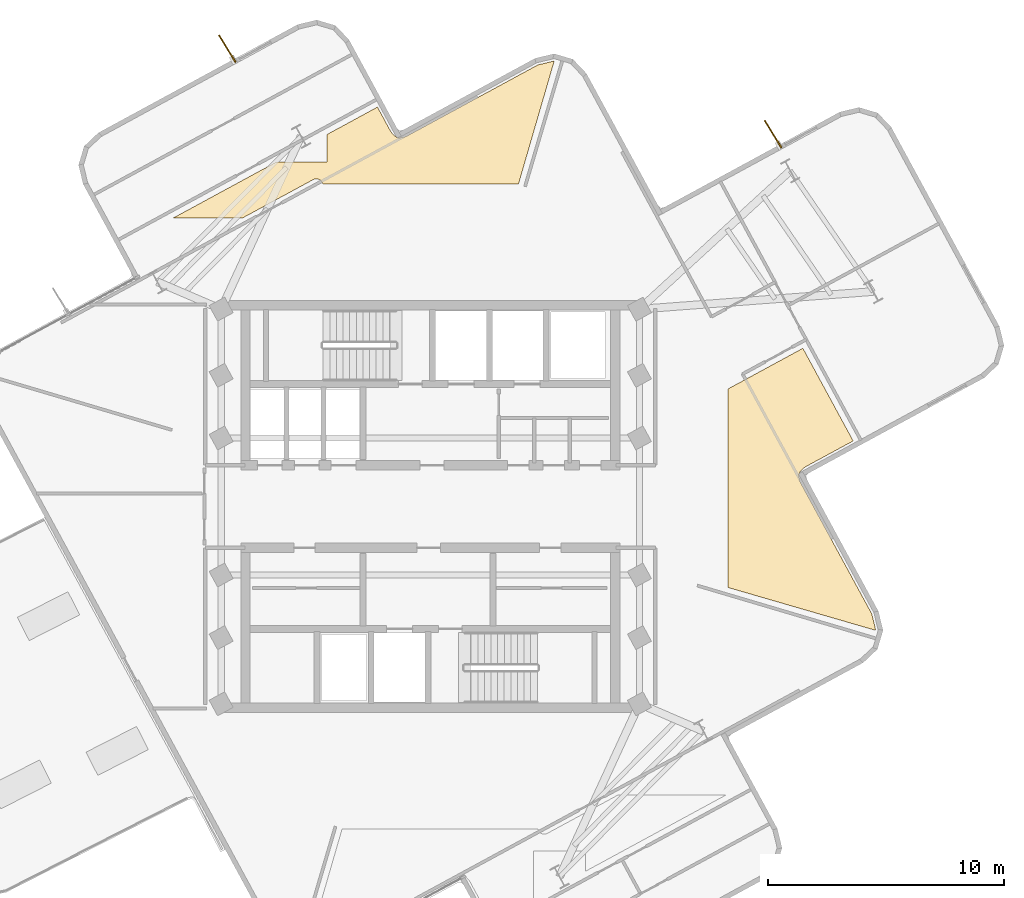
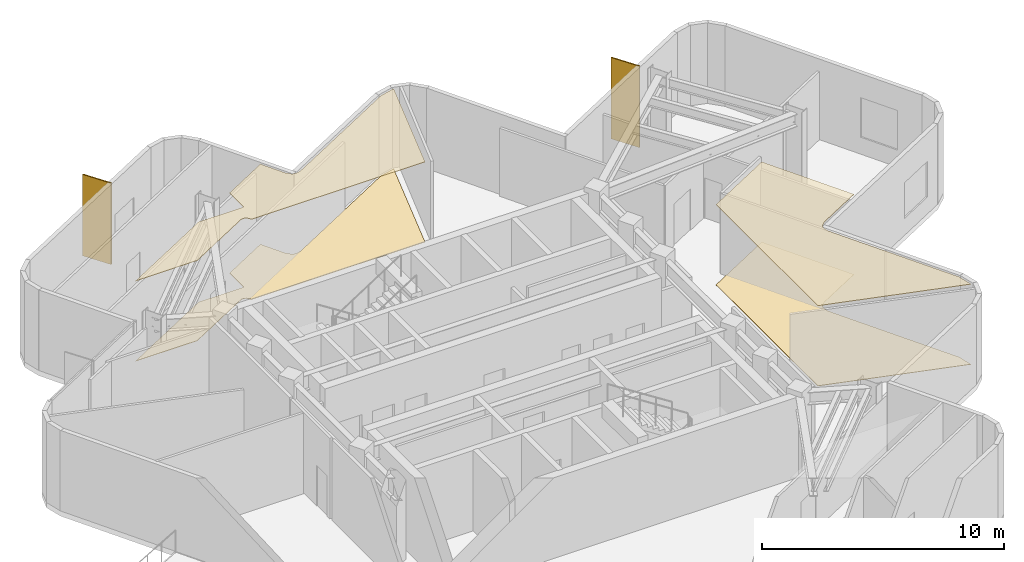
# One storey, part 9 of 10: 4 coverings, 2 shading devices.
"""IFC4 building model written with IfcOpenShell, lengths in metres."""

from ifc_helpers import new_model, si_unit, direction, frame, origin, origin_2d, place, context, subcontext, project, spatial, polyline, rectangle, outline, extrude, material, layer, layer_set, type_object, element, save


model = new_model("IFC4")

# Units and contexts
model_context = context("Model", 3, precision=1e-05, world=origin(), true_north=direction((0.0, 1.0)))
body_context = subcontext(model_context, "Body", "Model", "MODEL_VIEW")
ifc_project = project(units=[si_unit("LENGTHUNIT", "METRE"), si_unit("AREAUNIT", "SQUARE_METRE"), si_unit("VOLUMEUNIT", "CUBIC_METRE"), si_unit("PLANEANGLEUNIT", "RADIAN"), si_unit("MASSUNIT", "GRAM", prefix="KILO")], contexts=[model_context])

# Site, building, storey
site_placement = place(None, origin())
site = spatial("IfcSite", under=ifc_project, at=site_placement, CompositionType="ELEMENT")
building_placement = place(site_placement, origin())
building = spatial("IfcBuilding", under=site, at=building_placement, Name="Solmarez Civic Tower", CompositionType="ELEMENT")
storey_placement = place(building_placement, frame((0.0, 0.0, 200.8798828125)))
storey = spatial("IfcBuildingStorey", under=building, at=storey_placement, Name="L53", CompositionType="ELEMENT", Elevation=200.8798828125)

# Coverings
ifc_material_1 = material(Name="Perforated Mineral-Fibre Acoustic Ceiling")
ifc_layer_1 = layer(ifc_material_1, 0.02490234375)
ifc_layer_set_1 = layer_set([ifc_layer_1], Name="Perforated Mineral-Fibre Acoustic Ceiling")
covering_type_1 = type_object("IfcCoveringType", Name="COV-CEIL-ACOUSTIC", PredefinedType="CEILING", material=ifc_layer_set_1)
covering_1_placement = place(storey_placement, frame((0.0, 0.0, 4.03515625)))
element("IfcCovering", 1, at=covering_1_placement, inside=storey, type_object=covering_type_1, Name="L53 Suspended Acoustic Ceiling 2", PredefinedType="CEILING", context=body_context, shape_type="SweptSolid", body=[
    extrude(outline(polyline([(-10.89404296875, 12.199951171875), (-7.9619140625, 12.199951171875), (-4.950927734375, 13.833984375), (-4.93505859375, 13.842041015625), (-4.926025390625, 13.845947265625), (-4.904052734375, 13.85498046875), (-4.8798828125, 13.861083984375), (-4.875, 13.862060546875), (-4.85400390625, 13.864990234375), (-4.843994140625, 13.865966796875), (-4.821044921875, 13.866943359375), (-4.798095703125, 13.865966796875), (-4.7890625, 13.864990234375), (-4.77001953125, 13.862060546875), (-4.764892578125, 13.861083984375), (-4.740966796875, 13.85498046875), (-4.718994140625, 13.845947265625), (-4.7099609375, 13.842041015625), (-4.681884765625, 13.827880859375), (-4.674072265625, 13.822998046875), (-4.654052734375, 13.80810546875), (-4.635009765625, 13.7919921875), (-4.6279296875, 13.784912109375), (-4.60791015625, 13.760986328125), (-4.60205078125, 13.7529296875), (-4.5849609375, 13.72607421875), (-4.54296875, 13.64990234375), (3.73291015625, 13.64990234375), (5.241943359375, 18.846923828125), (5.235107421875, 18.84912109375), (4.547119140625, 18.68408203125), (-0.989990234375, 15.677978515625), (-0.9970703125, 15.674072265625), (-1.0029296875, 15.6708984375), (-1.013916015625, 15.666015625), (-1.02099609375, 15.6630859375), (-1.0380859375, 15.656005859375), (-1.0439453125, 15.654052734375), (-1.06298828125, 15.64892578125), (-1.23095703125, 15.60888671875), (-1.2509765625, 15.60498046875), (-1.261962890625, 15.60400390625), (-1.27001953125, 15.60302734375), (-1.297119140625, 15.60107421875), (-1.303955078125, 15.60107421875), (-1.3310546875, 15.60302734375), (-1.343017578125, 15.60400390625), (-1.35009765625, 15.60498046875), (-1.3720703125, 15.610107421875), (-1.3798828125, 15.612060546875), (-1.39697265625, 15.616943359375), (-1.4140625, 15.623046875), (-1.4208984375, 15.6259765625), (-1.443115234375, 15.636962890625), (-1.449951171875, 15.64111328125), (-1.462890625, 15.64892578125), (-1.468994140625, 15.653076171875), (-1.488037109375, 15.6669921875), (-1.493896484375, 15.672119140625), (-1.509033203125, 15.68505859375), (-1.513916015625, 15.68994140625), (-1.51708984375, 15.694091796875), (-1.635986328125, 15.819091796875), (-1.64892578125, 15.833984375), (-1.653076171875, 15.839111328125), (-1.6640625, 15.85400390625), (-1.66796875, 15.860107421875), (-1.672119140625, 15.865966796875), (-1.681884765625, 15.883056640625), (-2.235107421875, 16.902099609375), (-4.367919921875, 15.743896484375), (-4.367919921875, 14.571044921875), (-6.527099609375, 14.571044921875), (-10.89404296875, 12.199951171875)])), origin(), (0.0, 0.0, 1.0), 0.02490234375),
])
covering_2_placement = place(storey_placement, frame((0.0, 0.0, 4.03515625)))
element("IfcCovering", 2, at=covering_2_placement, inside=storey, type_object=covering_type_1, Name="L53 Suspended Acoustic Ceiling 3", PredefinedType="CEILING", context=body_context, shape_type="SweptSolid", body=[
    extrude(outline(polyline([(12.60009765625, 4.97509765625), (12.60009765625, -3.427978515625), (18.846923828125, -5.241943359375), (18.84912109375, -5.235107421875), (18.68408203125, -4.547119140625), (15.677978515625, 0.989990234375), (15.674072265625, 0.9970703125), (15.6708984375, 1.0029296875), (15.666015625, 1.013916015625), (15.6630859375, 1.02099609375), (15.656005859375, 1.0380859375), (15.654052734375, 1.0439453125), (15.64892578125, 1.06298828125), (15.60888671875, 1.23095703125), (15.60498046875, 1.2509765625), (15.60400390625, 1.261962890625), (15.60302734375, 1.27001953125), (15.60107421875, 1.297119140625), (15.60107421875, 1.303955078125), (15.60302734375, 1.3310546875), (15.60400390625, 1.343017578125), (15.60498046875, 1.35009765625), (15.610107421875, 1.3720703125), (15.612060546875, 1.3798828125), (15.616943359375, 1.39697265625), (15.623046875, 1.4140625), (15.6259765625, 1.4208984375), (15.636962890625, 1.443115234375), (15.64111328125, 1.449951171875), (15.64892578125, 1.462890625), (15.653076171875, 1.468994140625), (15.6669921875, 1.488037109375), (15.672119140625, 1.493896484375), (15.68505859375, 1.509033203125), (15.68994140625, 1.513916015625), (15.694091796875, 1.51708984375), (15.819091796875, 1.635986328125), (15.833984375, 1.64892578125), (15.839111328125, 1.653076171875), (15.85400390625, 1.6640625), (15.860107421875, 1.66796875), (15.865966796875, 1.672119140625), (15.883056640625, 1.681884765625), (17.89501953125, 2.77392578125), (15.76708984375, 6.695068359375), (12.60009765625, 4.97509765625)])), origin(), (0.0, 0.0, 1.0), 0.02490234375),
])
ifc_material_2 = material(Name="Polished Tropical Stone Terrazzo Flooring", Category="masonry")
ifc_layer_2 = layer(ifc_material_2, 0.02001953125)
ifc_layer_set_2 = layer_set([ifc_layer_2], Name="Polished Tropical Stone Terrazzo Flooring")
covering_type_2 = type_object("IfcCoveringType", Name="COV-FLOOR-TERRAZZO", PredefinedType="FLOORING", material=ifc_layer_set_2)
covering_3_placement = place(storey_placement, origin())
element("IfcCovering", 3, at=covering_3_placement, inside=storey, type_object=covering_type_2, Name="L53 Terrazzo Floor Finish 2", PredefinedType="FLOORING", context=body_context, shape_type="SweptSolid", body=[
    extrude(outline(polyline([(-10.89404296875, 12.199951171875), (-7.9619140625, 12.199951171875), (-4.950927734375, 13.833984375), (-4.93505859375, 13.842041015625), (-4.926025390625, 13.845947265625), (-4.904052734375, 13.85498046875), (-4.8798828125, 13.861083984375), (-4.875, 13.862060546875), (-4.85400390625, 13.864990234375), (-4.843994140625, 13.865966796875), (-4.821044921875, 13.866943359375), (-4.798095703125, 13.865966796875), (-4.7890625, 13.864990234375), (-4.77001953125, 13.862060546875), (-4.764892578125, 13.861083984375), (-4.740966796875, 13.85498046875), (-4.718994140625, 13.845947265625), (-4.7099609375, 13.842041015625), (-4.681884765625, 13.827880859375), (-4.674072265625, 13.822998046875), (-4.654052734375, 13.80810546875), (-4.635009765625, 13.7919921875), (-4.6279296875, 13.784912109375), (-4.60791015625, 13.760986328125), (-4.60205078125, 13.7529296875), (-4.5849609375, 13.72607421875), (-4.54296875, 13.64990234375), (3.73291015625, 13.64990234375), (5.241943359375, 18.846923828125), (5.235107421875, 18.84912109375), (4.547119140625, 18.68408203125), (-0.989990234375, 15.677978515625), (-0.9970703125, 15.674072265625), (-1.0029296875, 15.6708984375), (-1.013916015625, 15.666015625), (-1.02099609375, 15.6630859375), (-1.0380859375, 15.656005859375), (-1.0439453125, 15.654052734375), (-1.06298828125, 15.64892578125), (-1.23095703125, 15.60888671875), (-1.2509765625, 15.60498046875), (-1.261962890625, 15.60400390625), (-1.27001953125, 15.60302734375), (-1.297119140625, 15.60107421875), (-1.303955078125, 15.60107421875), (-1.3310546875, 15.60302734375), (-1.343017578125, 15.60400390625), (-1.35009765625, 15.60498046875), (-1.3720703125, 15.610107421875), (-1.3798828125, 15.612060546875), (-1.39697265625, 15.616943359375), (-1.4140625, 15.623046875), (-1.4208984375, 15.6259765625), (-1.443115234375, 15.636962890625), (-1.449951171875, 15.64111328125), (-1.462890625, 15.64892578125), (-1.468994140625, 15.653076171875), (-1.488037109375, 15.6669921875), (-1.493896484375, 15.672119140625), (-1.509033203125, 15.68505859375), (-1.513916015625, 15.68994140625), (-1.51708984375, 15.694091796875), (-1.635986328125, 15.819091796875), (-1.64892578125, 15.833984375), (-1.653076171875, 15.839111328125), (-1.6640625, 15.85400390625), (-1.66796875, 15.860107421875), (-1.672119140625, 15.865966796875), (-1.681884765625, 15.883056640625), (-2.235107421875, 16.902099609375), (-4.367919921875, 15.743896484375), (-4.367919921875, 14.571044921875), (-6.527099609375, 14.571044921875), (-10.89404296875, 12.199951171875)])), origin(), (0.0, 0.0, 1.0), 0.02001953125),
])
covering_4_placement = place(storey_placement, origin())
element("IfcCovering", 4, at=covering_4_placement, inside=storey, type_object=covering_type_2, Name="L53 Terrazzo Floor Finish 3", PredefinedType="FLOORING", context=body_context, shape_type="SweptSolid", body=[
    extrude(outline(polyline([(12.60009765625, 4.97509765625), (12.60009765625, -3.427978515625), (18.846923828125, -5.241943359375), (18.84912109375, -5.235107421875), (18.68408203125, -4.547119140625), (15.677978515625, 0.989990234375), (15.674072265625, 0.9970703125), (15.6708984375, 1.0029296875), (15.666015625, 1.013916015625), (15.6630859375, 1.02099609375), (15.656005859375, 1.0380859375), (15.654052734375, 1.0439453125), (15.64892578125, 1.06298828125), (15.60888671875, 1.23095703125), (15.60498046875, 1.2509765625), (15.60400390625, 1.261962890625), (15.60302734375, 1.27001953125), (15.60107421875, 1.297119140625), (15.60107421875, 1.303955078125), (15.60302734375, 1.3310546875), (15.60400390625, 1.343017578125), (15.60498046875, 1.35009765625), (15.610107421875, 1.3720703125), (15.612060546875, 1.3798828125), (15.616943359375, 1.39697265625), (15.623046875, 1.4140625), (15.6259765625, 1.4208984375), (15.636962890625, 1.443115234375), (15.64111328125, 1.449951171875), (15.64892578125, 1.462890625), (15.653076171875, 1.468994140625), (15.6669921875, 1.488037109375), (15.672119140625, 1.493896484375), (15.68505859375, 1.509033203125), (15.68994140625, 1.513916015625), (15.694091796875, 1.51708984375), (15.819091796875, 1.635986328125), (15.833984375, 1.64892578125), (15.839111328125, 1.653076171875), (15.85400390625, 1.6640625), (15.860107421875, 1.66796875), (15.865966796875, 1.672119140625), (15.883056640625, 1.681884765625), (17.89501953125, 2.77392578125), (15.76708984375, 6.695068359375), (12.60009765625, 4.97509765625)])), origin(), (0.0, 0.0, 1.0), 0.02001953125),
])

# Shading devices
ifc_material_3 = material(Name="Bronze Anodised Aluminium EN AW-6063 T6", Category="aluminium")
ifc_layer_3 = layer(ifc_material_3, 0.054931640625)
ifc_layer_set_3 = layer_set([ifc_layer_3], Name="Bronze Anodised Aluminium EN AW-6063 T6")
shading_device_type = type_object("IfcShadingDeviceType", Name="FIN-BRONZE-Z56", PredefinedType="USERDEFINED", material=ifc_layer_set_3)
for number, where, z_axis, x_axis, name in (
    (5, (-8.591064453125, 19.3740234375, -0.0400390625), (0.0, 0.0, 1.0), (-0.524283182828, 0.851543976671, 0.0), "L53 Anodised Bronze Solar Fin FIN-L53-03"),
    (6, (14.506103515625, 15.756103515625, -0.0400390625), (0.0, 0.0, 1.0), (-0.524327768847, 0.8515165241, 0.0), "L53 Anodised Bronze Solar Fin FIN-L53-04"),
):
    element("IfcShadingDevice", number, at=place(storey_placement, frame(where, z_axis=z_axis, x_axis=x_axis)), inside=storey, type_object=shading_device_type, Name=name, ObjectType="FIN", PredefinedType="USERDEFINED", context=body_context, shape_type="SweptSolid", body=[
        extrude(rectangle(XDim=1.35009765625, YDim=0.054931640625, at=origin_2d()), origin(), (0.0, 0.0, 1.0), 4.10009765625),
    ])

save(model, "model.ifc")
